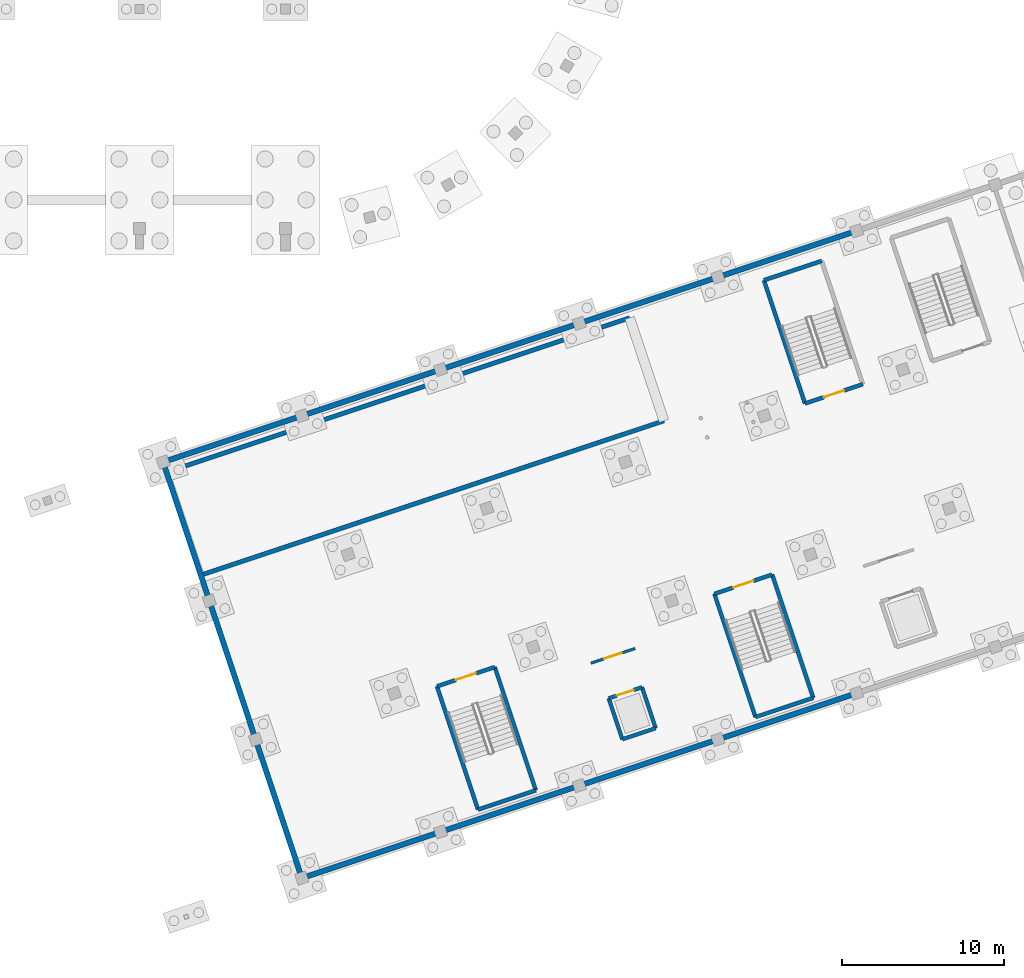
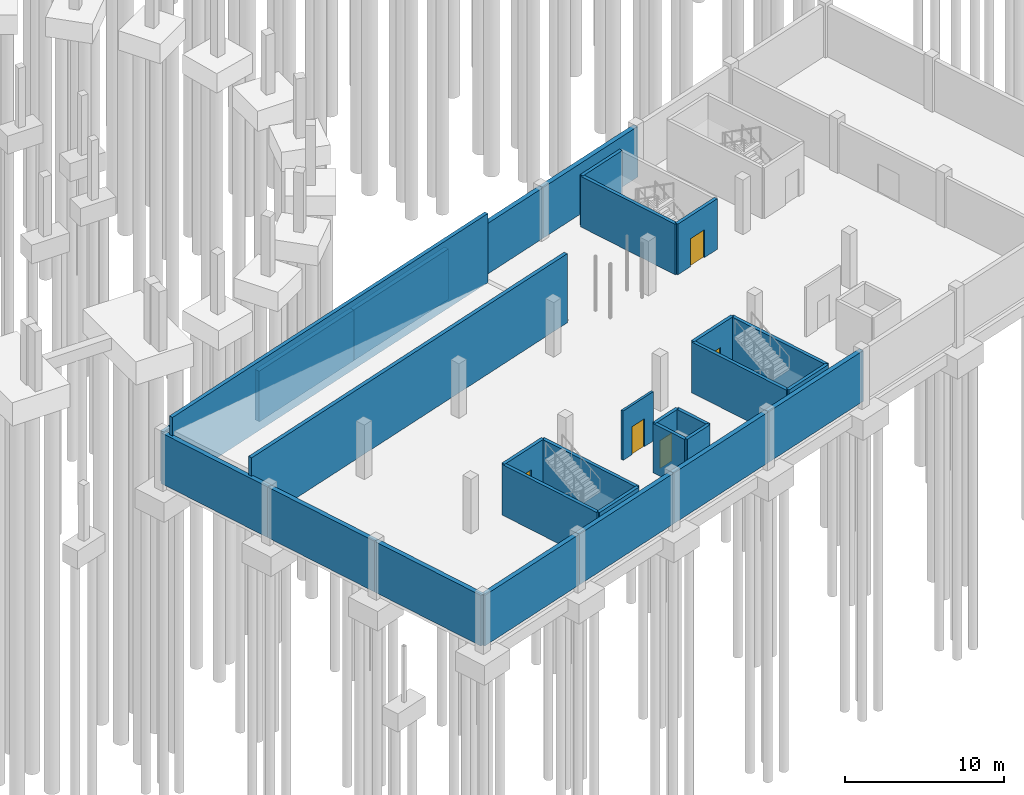
# One storey, part 20 of 36: 30 walls, 5 doors, 5 openings.
"""IFC4 building model written with IfcOpenShell, lengths in metres."""

from ifc_helpers import new_model, si_unit, derived_unit, direction, frame, frame_2d, origin, place, context, subcontext, project, spatial, rectangle, extrude, material, layer, layer_set, type_object, element, fill, save


model = new_model("IFC4")

# Units and contexts
model_context = context("Model", 3, precision=1e-05, world=origin(), true_north=direction((0.0, 1.0)))
body_context = subcontext(model_context, "Body", "Model", "MODEL_VIEW")
ifc_project = project(units=[si_unit("LENGTHUNIT", "METRE"), si_unit("AREAUNIT", "SQUARE_METRE"), si_unit("VOLUMEUNIT", "CUBIC_METRE"), si_unit("PLANEANGLEUNIT", "RADIAN"), si_unit("MASSUNIT", "GRAM", prefix="KILO"), si_unit("THERMODYNAMICTEMPERATUREUNIT", "KELVIN"), si_unit("TIMEUNIT", "SECOND"), derived_unit("THERMALTRANSMITTANCEUNIT", [(si_unit("MASSUNIT", "GRAM", prefix="KILO"), 1), (si_unit("THERMODYNAMICTEMPERATUREUNIT", "KELVIN"), -1), (si_unit("TIMEUNIT", "SECOND"), -3)])], contexts=[model_context])

# Site, building, storey
site_placement = place(None, origin())
site = spatial("IfcSite", under=ifc_project, at=site_placement, CompositionType="ELEMENT")
building_placement = place(site_placement, origin())
building = spatial("IfcBuilding", under=site, at=building_placement, Name="Cambertide Market Hall", CompositionType="ELEMENT")
storey_placement = place(building_placement, frame((0.0, 0.0, -4.199951171875)))
storey = spatial("IfcBuildingStorey", under=building, at=storey_placement, Name="B1", CompositionType="ELEMENT", Elevation=-4.199951171875)

# Walls
ifc_material_1 = material(Name="Concrete B35", Category="concrete")
ifc_layer_1 = layer(ifc_material_1, 0.3349609375, Name="Garage Perimeter Retaining Wall 335")
ifc_layer_set_1 = layer_set([ifc_layer_1], Name="Concrete B35")
wall_type_1 = type_object("IfcWallType", Name="Garage Perimeter Retaining Wall 335", PredefinedType="SOLIDWALL", material=ifc_layer_set_1)
for number, where, z_axis, x_axis, name in (
    (1, (97.4619140625, 37.614501953125, 0.0), (0.0, 0.0, 1.0), (0.948686010717, 0.3162196279, 0.0), "Basement 1 Exterior Wall EW-B1-V3N-1"),
    (2, (114.5380859375, 14.845947265625, 0.0), (0.0, 0.0, 1.0), (-0.948686010717, -0.3162196279, 0.0), "Basement 1 Exterior Wall EW-B1-V3S-1"),
    (3, (106.0, 40.46044921875, 0.0), (0.0, 0.0, 1.0), (0.948677872554, 0.31624404204, 0.0), "Basement 1 Exterior Wall EW-B1-V3N-2"),
):
    element("IfcWall", number, at=place(storey_placement, frame(where, z_axis=z_axis, x_axis=x_axis)), inside=storey, type_object=wall_type_1, Name=name, PredefinedType="SOLIDWALL", context=body_context, shape_type="SweptSolid", body=[
        extrude(rectangle(XDim=9.0, YDim=0.3349609375, at=frame_2d((4.5, 0.0))), origin(), (0.0, 0.0, 1.0), 3.89990234375),
    ])
for number, where, z_axis, x_axis, name in (
    (4, (123.076416015625, 17.692138671875, 0.0), (0.0, 0.0, 1.0), (-0.948680585407, -0.316235903831, 0.0), "Basement 1 Exterior Wall EW-B1-V3S-2"),
    (5, (114.5380859375, 43.306640625, 0.0), (0.0, 0.0, 1.0), (0.948688723175, 0.316211490179, 0.0), "Basement 1 Exterior Wall EW-B1-V3N-3"),
):
    element("IfcWall", number, at=place(storey_placement, frame(where, z_axis=z_axis, x_axis=x_axis)), inside=storey, type_object=wall_type_1, Name=name, PredefinedType="SOLIDWALL", context=body_context, shape_type="SweptSolid", body=[
        extrude(rectangle(XDim=9.000244140625, YDim=0.3349609375, at=frame_2d((4.5, 0.0))), origin(), (0.0, 0.0, 1.0), 3.89990234375),
    ])
for number, where, z_axis, x_axis, name in (
    (6, (131.614501953125, 20.5380859375, 0.0), (0.0, 0.0, 1.0), (-0.948686010717, -0.3162196279, 0.0), "Basement 1 Exterior Wall EW-B1-V3S-3"),
    (7, (123.076416015625, 46.152587890625, 0.0), (0.0, 0.0, 1.0), (0.948686010717, 0.3162196279, 0.0), "Basement 1 Exterior Wall EW-B1-V3N-4"),
    (8, (140.152587890625, 23.38427734375, 0.0), (0.0, 0.0, 1.0), (-0.948677872554, -0.31624404204, 0.0), "Basement 1 Exterior Wall EW-B1-V3S-4"),
    (9, (131.614501953125, 48.99853515625, 0.0), (0.0, 0.0, 1.0), (0.948677872554, 0.31624404204, 0.0), "Basement 1 Exterior Wall EW-B1-V3N-5"),
    (10, (106.0, 12.0, 0.0), (0.0, 0.0, 1.0), (-0.3162196279, 0.948686010717, 0.0), "Basement 1 Exterior Wall EW-B1-V3W-1"),
):
    element("IfcWall", number, at=place(storey_placement, frame(where, z_axis=z_axis, x_axis=x_axis)), inside=storey, type_object=wall_type_1, Name=name, PredefinedType="SOLIDWALL", context=body_context, shape_type="SweptSolid", body=[
        extrude(rectangle(XDim=9.0, YDim=0.3349609375, at=frame_2d((4.5, 0.0))), origin(), (0.0, 0.0, 1.0), 3.89990234375),
    ])
wall_1_placement = place(storey_placement, frame((103.154052734375, 20.5380859375, 0.0), z_axis=(0.0, 0.0, 1.0), x_axis=(-0.316235903831, 0.948680585407, 0.0)))
element("IfcWall", 11, at=wall_1_placement, inside=storey, type_object=wall_type_1, Name="Basement 1 Exterior Wall EW-B1-V3W-2", PredefinedType="SOLIDWALL", context=body_context, shape_type="SweptSolid", body=[
    extrude(rectangle(XDim=9.000244140625, YDim=0.3349609375, at=frame_2d((4.5, 0.0))), origin(), (0.0, 0.0, 1.0), 3.89990234375),
])
wall_2_placement = place(storey_placement, frame((100.307861328125, 29.076416015625, 0.0), z_axis=(0.0, 0.0, 1.0), x_axis=(-0.3162196279, 0.948686010717, 0.0)))
element("IfcWall", 12, at=wall_2_placement, inside=storey, type_object=wall_type_1, Name="Basement 1 Exterior Wall EW-B1-V3W-3", PredefinedType="SOLIDWALL", context=body_context, shape_type="SweptSolid", body=[
    extrude(rectangle(XDim=9.0, YDim=0.3349609375, at=frame_2d((4.5, 0.0))), origin(), (0.0, 0.0, 1.0), 3.89990234375),
])

# Wall, opening, door
ifc_material_2 = material(Name="Autoclaved Aerated Concrete Blockwork M7.5", Category="masonry")
ifc_layer_2 = layer(ifc_material_2, 0.169921875, Name="Lift Lobby Fire Partition 170")
ifc_layer_set_2 = layer_set([ifc_layer_2], Name="Autoclaved Aerated Concrete Blockwork M7.5")
wall_type_2 = type_object("IfcWallType", Name="Lift Lobby Fire Partition 170", PredefinedType="PARTITIONING", material=ifc_layer_set_2)
wall_3_placement = place(storey_placement, frame((123.79736328125, 25.2373046875, 0.0), z_axis=(0.0, 0.0, 1.0), x_axis=(0.94869183448, 0.316202155576, 0.0)))
wall_3 = element("IfcWall", 13, at=wall_3_placement, inside=storey, type_object=wall_type_2, Name="Basement 1 Interior Wall LLW-LP-02-B1", PredefinedType="PARTITIONING", context=body_context, shape_type="SweptSolid", body=[
    extrude(rectangle(XDim=2.85986328125, YDim=0.169921875, at=frame_2d((1.429931640625, 0.0))), origin(), (0.0, 0.0, 1.0), 3.800048828125),
])
opening_1_placement = place(wall_3_placement, frame((0.85498046875, 0.0, 0.0)))
opening_1 = element("IfcOpeningElement", 14, at=opening_1_placement, cuts=wall_3, Name="Opening KD-02", PredefinedType="OPENING", context=body_context, shape_type="SweptSolid", body=[
    extrude(rectangle(XDim=1.14990234375, YDim=2.14990234375, at=frame_2d((0.574951171875, 1.074951171875))), frame((0.0, 0.094970703125, 0.0), z_axis=(0.0, -1.0, 0.0), x_axis=(1.0, 0.0, 0.0)), (0.0, 0.0, 1.0), 0.18994140625),
])
ifc_material_3 = material(Name="Stainless Steel Grade 316", Category="metal")
door_type_1 = type_object("IfcDoorType", Name="Lift Lobby Smoke-Stop Door 1150x2150", OperationType="NOTDEFINED", PredefinedType="DOOR", material=ifc_material_3)
door_1_placement = place(opening_1_placement, origin())
door_1 = element("IfcDoor", 15, at=door_1_placement, inside=storey, type_object=door_type_1, Name="Basement 1 Door LLW-LP-02-B1-DR1", OperationType="SINGLE_SWING_LEFT", OverallHeight=2.14990234375, OverallWidth=1.14990234375, PredefinedType="DOOR", context=body_context, shape_type="SweptSolid", body=[
    extrude(rectangle(XDim=1.14990234375, YDim=2.14990234375, at=frame_2d((0.574951171875, 1.074951171875))), frame((0.0, 0.02490234375, 0.0), z_axis=(0.0, -1.0, 0.0), x_axis=(1.0, 0.0, 0.0)), (0.0, 0.0, 1.0), 0.050048828125),
])
fill(opening_1, door_1)

ifc_material_4 = material(Name="Concrete B35", Category="concrete")
ifc_layer_3 = layer(ifc_material_4, 0.239990234375, Name="Stair & Lift Core Shaft Wall 240")
ifc_layer_set_3 = layer_set([ifc_layer_3], Name="Concrete B35")
wall_type_3 = type_object("IfcWallType", Name="Stair & Lift Core Shaft Wall 240", PredefinedType="SOLIDWALL", material=ifc_layer_set_3)
wall_4_placement = place(storey_placement, frame((114.31689453125, 23.81103515625, 0.0), z_axis=(0.0, 0.0, 1.0), x_axis=(0.948670276792, 0.316266827111, 0.0)))
wall_4 = element("IfcWall", 16, at=wall_4_placement, inside=storey, type_object=wall_type_3, Name="Basement 1 Interior Wall SHW-ST-05A-B1-NEAR", PredefinedType="SOLIDWALL", context=body_context, shape_type="SweptSolid", body=[
    extrude(rectangle(XDim=3.75, YDim=0.239990234375, at=frame_2d((1.875, 0.0))), origin(), (0.0, 0.0, 1.0), 3.89990234375),
])
opening_2_placement = place(wall_4_placement, frame((1.22509765625, 0.0, 0.0)))
opening_2 = element("IfcOpeningElement", 17, at=opening_2_placement, cuts=wall_4, Name="Opening FD-01", PredefinedType="OPENING", context=body_context, shape_type="SweptSolid", body=[
    extrude(rectangle(XDim=1.300048828125, YDim=2.14990234375, at=frame_2d((0.64990234375, 1.074951171875))), frame((0.0, 0.1298828125, 0.0), z_axis=(0.0, -1.0, 0.0), x_axis=(1.0, 0.0, 0.0)), (0.0, 0.0, 1.0), 0.260009765625),
])
ifc_material_5 = material(Name="Powder-Coated Galvanized Sheet Metal", Category="metal")
door_type_2 = type_object("IfcDoorType", Name="Stair Core Fire Door 1300x2150", OperationType="NOTDEFINED", PredefinedType="DOOR", material=ifc_material_5)
door_2_placement = place(opening_2_placement, origin())
door_2 = element("IfcDoor", 18, at=door_2_placement, inside=storey, type_object=door_type_2, Name="Basement 1 Door SHW-ST-05A-B1-NEAR-DR1", OperationType="SINGLE_SWING_RIGHT", OverallHeight=2.14990234375, OverallWidth=1.300048828125, PredefinedType="DOOR", context=body_context, shape_type="SweptSolid", body=[
    extrude(rectangle(XDim=1.300048828125, YDim=2.14990234375, at=frame_2d((0.64990234375, 1.074951171875))), frame((0.0, 0.02490234375, 0.0), z_axis=(0.0, -1.0, 0.0), x_axis=(1.0, 0.0, 0.0)), (0.0, 0.0, 1.0), 0.050048828125),
])
fill(opening_2, door_2)

# Walls
wall_5_placement = place(storey_placement, frame((116.8466796875, 16.2216796875, 0.0), z_axis=(0.0, 0.0, 1.0), x_axis=(-0.316227766017, 0.948683298051, 0.0)))
element("IfcWall", 19, at=wall_5_placement, inside=storey, type_object=wall_type_3, Name="Basement 1 Interior Wall SHW-ST-05A-B1-L", PredefinedType="SOLIDWALL", context=body_context, shape_type="SweptSolid", body=[
    extrude(rectangle(XDim=8.0, YDim=0.239990234375, at=frame_2d((4.0, 0.0))), origin(), (0.0, 0.0, 1.0), 3.89990234375),
])
wall_6_placement = place(storey_placement, frame((120.404296875, 17.407470703125, 0.0), z_axis=(0.0, 0.0, 1.0), x_axis=(-0.94868980821, -0.316208234867, 0.0)))
element("IfcWall", 20, at=wall_6_placement, inside=storey, type_object=wall_type_3, Name="Basement 1 Interior Wall SHW-ST-05A-B1-FAR", PredefinedType="SOLIDWALL", context=body_context, shape_type="SweptSolid", body=[
    extrude(rectangle(XDim=3.75, YDim=0.239990234375, at=frame_2d((1.875, 0.0))), origin(), (0.0, 0.0, 1.0), 3.89990234375),
])
wall_7_placement = place(storey_placement, frame((117.87451171875, 24.9970703125, 0.0), z_axis=(0.0, 0.0, 1.0), x_axis=(0.31621861086, -0.94868634972, 0.0)))
element("IfcWall", 21, at=wall_7_placement, inside=storey, type_object=wall_type_3, Name="Basement 1 Interior Wall SHW-ST-05A-B1-R", PredefinedType="SOLIDWALL", context=body_context, shape_type="SweptSolid", body=[
    extrude(rectangle(XDim=8.0, YDim=0.239990234375, at=frame_2d((4.0, 0.0))), origin(), (0.0, 0.0, 1.0), 3.89990234375),
])

# Wall, opening, door
wall_8_placement = place(storey_placement, frame((131.39306640625, 29.503173828125, 0.0), z_axis=(0.0, 0.0, 1.0), x_axis=(0.948670276792, 0.316266827111, 0.0)))
wall_8 = element("IfcWall", 22, at=wall_8_placement, inside=storey, type_object=wall_type_3, Name="Basement 1 Interior Wall SHW-ST-06A-B1-NEAR", PredefinedType="SOLIDWALL", context=body_context, shape_type="SweptSolid", body=[
    extrude(rectangle(XDim=3.75, YDim=0.239990234375, at=frame_2d((1.875, 0.0))), origin(), (0.0, 0.0, 1.0), 3.89990234375),
])
opening_3_placement = place(wall_8_placement, frame((1.22509765625, 0.0, 0.0)))
opening_3 = element("IfcOpeningElement", 23, at=opening_3_placement, cuts=wall_8, Name="Opening FD-01", PredefinedType="OPENING", context=body_context, shape_type="SweptSolid", body=[
    extrude(rectangle(XDim=1.300048828125, YDim=2.14990234375, at=frame_2d((0.64990234375, 1.074951171875))), frame((0.0, 0.1298828125, 0.0), z_axis=(0.0, -1.0, 0.0), x_axis=(1.0, 0.0, 0.0)), (0.0, 0.0, 1.0), 0.260009765625),
])
door_3_placement = place(opening_3_placement, origin())
door_3 = element("IfcDoor", 24, at=door_3_placement, inside=storey, type_object=door_type_2, Name="Basement 1 Door SHW-ST-06A-B1-NEAR-DR1", OperationType="SINGLE_SWING_LEFT", OverallHeight=2.14990234375, OverallWidth=1.300048828125, PredefinedType="DOOR", context=body_context, shape_type="SweptSolid", body=[
    extrude(rectangle(XDim=1.300048828125, YDim=2.14990234375, at=frame_2d((0.64990234375, 1.074951171875))), frame((0.0, 0.02490234375, 0.0), z_axis=(0.0, -1.0, 0.0), x_axis=(1.0, 0.0, 0.0)), (0.0, 0.0, 1.0), 0.050048828125),
])
fill(opening_3, door_3)

# Walls
wall_9_placement = place(storey_placement, frame((133.9228515625, 21.913818359375, 0.0), z_axis=(0.0, 0.0, 1.0), x_axis=(-0.316227766017, 0.948683298051, 0.0)))
element("IfcWall", 25, at=wall_9_placement, inside=storey, type_object=wall_type_3, Name="Basement 1 Interior Wall SHW-ST-06A-B1-L", PredefinedType="SOLIDWALL", context=body_context, shape_type="SweptSolid", body=[
    extrude(rectangle(XDim=8.0, YDim=0.239990234375, at=frame_2d((4.0, 0.0))), origin(), (0.0, 0.0, 1.0), 3.89990234375),
])
wall_10_placement = place(storey_placement, frame((137.48046875, 23.099609375, 0.0), z_axis=(0.0, 0.0, 1.0), x_axis=(-0.94868980821, -0.316208234867, 0.0)))
element("IfcWall", 26, at=wall_10_placement, inside=storey, type_object=wall_type_3, Name="Basement 1 Interior Wall SHW-ST-06A-B1-FAR", PredefinedType="SOLIDWALL", context=body_context, shape_type="SweptSolid", body=[
    extrude(rectangle(XDim=3.75, YDim=0.239990234375, at=frame_2d((1.875, 0.0))), origin(), (0.0, 0.0, 1.0), 3.89990234375),
])
wall_11_placement = place(storey_placement, frame((134.95068359375, 30.689208984375, 0.0), z_axis=(0.0, 0.0, 1.0), x_axis=(0.31621861086, -0.94868634972, 0.0)))
element("IfcWall", 27, at=wall_11_placement, inside=storey, type_object=wall_type_3, Name="Basement 1 Interior Wall SHW-ST-06A-B1-R", PredefinedType="SOLIDWALL", context=body_context, shape_type="SweptSolid", body=[
    extrude(rectangle(XDim=8.0, YDim=0.239990234375, at=frame_2d((4.0, 0.0))), origin(), (0.0, 0.0, 1.0), 3.89990234375),
])

# Wall, opening, door
wall_12_placement = place(storey_placement, frame((140.531982421875, 42.4052734375, 0.0), z_axis=(0.0, 0.0, 1.0), x_axis=(-0.948683298051, -0.316227766017, 0.0)))
wall_12 = element("IfcWall", 28, at=wall_12_placement, inside=storey, type_object=wall_type_3, Name="Basement 1 Interior Wall SHW-ST-06B-B1-NEAR", PredefinedType="SOLIDWALL", context=body_context, shape_type="SweptSolid", body=[
    extrude(rectangle(XDim=3.749755859375, YDim=0.239990234375, at=frame_2d((1.875, 0.0))), origin(), (0.0, 0.0, 1.0), 3.89990234375),
])
opening_4_placement = place(wall_12_placement, frame((1.22509765625, 0.0, 0.0)))
opening_4 = element("IfcOpeningElement", 29, at=opening_4_placement, cuts=wall_12, Name="Opening FD-01", PredefinedType="OPENING", context=body_context, shape_type="SweptSolid", body=[
    extrude(rectangle(XDim=1.300048828125, YDim=2.14990234375, at=frame_2d((0.64990234375, 1.074951171875))), frame((0.0, 0.1298828125, 0.0), z_axis=(0.0, -1.0, 0.0), x_axis=(1.0, 0.0, 0.0)), (0.0, 0.0, 1.0), 0.260009765625),
])
door_4_placement = place(opening_4_placement, origin())
door_4 = element("IfcDoor", 30, at=door_4_placement, inside=storey, type_object=door_type_2, Name="Basement 1 Door SHW-ST-06B-B1-NEAR-DR1", OperationType="SINGLE_SWING_LEFT", OverallHeight=2.14990234375, OverallWidth=1.300048828125, PredefinedType="DOOR", context=body_context, shape_type="SweptSolid", body=[
    extrude(rectangle(XDim=1.300048828125, YDim=2.14990234375, at=frame_2d((0.64990234375, 1.074951171875))), frame((0.0, 0.02490234375, 0.0), z_axis=(0.0, -1.0, 0.0), x_axis=(1.0, 0.0, 0.0)), (0.0, 0.0, 1.0), 0.050048828125),
])
fill(opening_4, door_4)

# Walls
wall_13_placement = place(storey_placement, frame((134.444580078125, 48.808837890625, 0.0), z_axis=(0.0, 0.0, 1.0), x_axis=(0.948670276792, 0.316266827111, 0.0)))
element("IfcWall", 31, at=wall_13_placement, inside=storey, type_object=wall_type_3, Name="Basement 1 Interior Wall SHW-ST-06B-B1-FAR", PredefinedType="SOLIDWALL", context=body_context, shape_type="SweptSolid", body=[
    extrude(rectangle(XDim=3.75, YDim=0.239990234375, at=frame_2d((1.875, 0.0))), origin(), (0.0, 0.0, 1.0), 3.89990234375),
])
wall_14_placement = place(storey_placement, frame((136.974609375, 41.219482421875, 0.0), z_axis=(0.0, 0.0, 1.0), x_axis=(-0.316255231841, 0.948674142334, 0.0)))
element("IfcWall", 32, at=wall_14_placement, inside=storey, type_object=wall_type_3, Name="Basement 1 Interior Wall SHW-ST-06B-B1-R", PredefinedType="SOLIDWALL", context=body_context, shape_type="SweptSolid", body=[
    extrude(rectangle(XDim=8.0, YDim=0.239990234375, at=frame_2d((4.0, 0.0))), origin(), (0.0, 0.0, 1.0), 3.89990234375),
])
wall_15_placement = place(storey_placement, frame((127.778564453125, 21.230712890625, 0.0), z_axis=(0.0, 0.0, 1.0), x_axis=(-0.948671994311, -0.316261675215, 0.0)))
element("IfcWall", 33, at=wall_15_placement, inside=storey, type_object=wall_type_3, Name="Basement 1 Interior Wall LSH-LP-02-B1-S", PredefinedType="SOLIDWALL", context=body_context, shape_type="SweptSolid", body=[
    extrude(rectangle(XDim=2.159912109375, YDim=0.239990234375, at=frame_2d((1.080078125, 0.0))), origin(), (0.0, 0.0, 1.0), 3.800048828125),
])

# Wall, opening, door
wall_16_placement = place(storey_placement, frame((124.88818359375, 23.071044921875, 0.0), z_axis=(0.0, 0.0, 1.0), x_axis=(0.948683298051, 0.316227766017, 0.0)))
wall_16 = element("IfcWall", 34, at=wall_16_placement, inside=storey, type_object=wall_type_3, Name="Basement 1 Interior Wall LSH-LP-02-B1-N", PredefinedType="SOLIDWALL", context=body_context, shape_type="SweptSolid", body=[
    extrude(rectangle(XDim=2.16015625, YDim=0.239990234375, at=frame_2d((1.080078125, 0.0))), origin(), (0.0, 0.0, 1.0), 3.800048828125),
])
opening_5_placement = place(wall_16_placement, frame((0.530029296875, 0.0, 0.0)))
opening_5 = element("IfcOpeningElement", 35, at=opening_5_placement, cuts=wall_16, Name="Opening LD-01", PredefinedType="OPENING", context=body_context, shape_type="SweptSolid", body=[
    extrude(rectangle(XDim=1.10009765625, YDim=2.14990234375, at=frame_2d((0.550048828125, 1.074951171875))), frame((0.0, 0.1298828125, 0.0), z_axis=(0.0, -1.0, 0.0), x_axis=(1.0, 0.0, 0.0)), (0.0, 0.0, 1.0), 0.260009765625),
])
ifc_material_6 = material(Name="Stainless Steel Grade 316", Category="metal")
door_type_3 = type_object("IfcDoorType", Name="Passenger Lift Sliding Landing Door 1100x2150", OperationType="DOUBLE_DOOR_SLIDING", PredefinedType="DOOR", material=ifc_material_6)
door_5_placement = place(opening_5_placement, origin())
door_5 = element("IfcDoor", 36, at=door_5_placement, inside=storey, type_object=door_type_3, Name="Basement 1 Door LSH-LP-02-B1-N-DR1", OperationType="DOUBLE_DOOR_SLIDING", OverallHeight=2.14990234375, OverallWidth=1.10009765625, PredefinedType="DOOR", context=body_context, shape_type="SweptSolid", body=[
    extrude(rectangle(XDim=1.10009765625, YDim=2.14990234375, at=frame_2d((0.550048828125, 1.074951171875))), frame((0.0, 0.02490234375, 0.0), z_axis=(0.0, -1.0, 0.0), x_axis=(1.0, 0.0, 0.0)), (0.0, 0.0, 1.0), 0.050048828125),
])
fill(opening_5, door_5)

# Walls
for number, where, z_axis, x_axis, name in (
    (37, (125.7294921875, 20.547607421875, 0.0), (0.0, 0.0, 1.0), (-0.316282835043, 0.948664939932, 0.0), "Basement 1 Interior Wall LSH-LP-02-B1-W"),
    (38, (126.9375, 23.754150390625, 0.0), (0.0, 0.0, 1.0), (0.316200230305, -0.948692476177, 0.0), "Basement 1 Interior Wall LSH-LP-02-B1-E"),
):
    element("IfcWall", number, at=place(storey_placement, frame(where, z_axis=z_axis, x_axis=x_axis)), inside=storey, type_object=wall_type_3, Name=name, PredefinedType="SOLIDWALL", context=body_context, shape_type="SweptSolid", body=[
        extrude(rectangle(XDim=2.659912109375, YDim=0.239990234375, at=frame_2d((1.330078125, 0.0))), origin(), (0.0, 0.0, 1.0), 3.800048828125),
    ])
ifc_material_7 = material(Name="Concrete B35", Category="concrete")
ifc_layer_4 = layer(ifc_material_7, 0.27001953125, Name="Vehicle Ramp Flank Wall 270")
ifc_layer_set_4 = layer_set([ifc_layer_4], Name="Concrete B35")
wall_type_4 = type_object("IfcWallType", Name="Vehicle Ramp Flank Wall 270", PredefinedType="SOLIDWALL", material=ifc_layer_set_4)
wall_17_placement = place(storey_placement, frame((99.830322265625, 30.6669921875, 0.0), z_axis=(0.0, 0.0, 1.0), x_axis=(0.948684111845, 0.316225324624, 0.0)))
element("IfcWall", 39, at=wall_17_placement, inside=storey, type_object=wall_type_4, Name="Basement 1 Interior Wall RMPW-VR01-S", PredefinedType="SOLIDWALL", context=body_context, shape_type="SweptSolid", body=[
    extrude(rectangle(XDim=30.000244140625, YDim=0.27001953125, at=frame_2d((15.0, 0.0))), origin(), (0.0, 0.0, 1.0), 5.320068359375),
])
wall_18_placement = place(storey_placement, frame((97.718017578125, 37.004150390625, 0.0), z_axis=(0.0, 0.0, 1.0), x_axis=(0.948683298051, 0.316227766017, 0.0)))
element("IfcWall", 40, at=wall_18_placement, inside=storey, type_object=wall_type_4, Name="Basement 1 Interior Wall RMPW-VR01-N", PredefinedType="SOLIDWALL", context=body_context, shape_type="SweptSolid", body=[
    extrude(rectangle(XDim=30.0, YDim=0.27001953125, at=frame_2d((15.0, 0.0))), origin(), (0.0, 0.0, 1.0), 5.320068359375),
])

save(model, "model.ifc")
